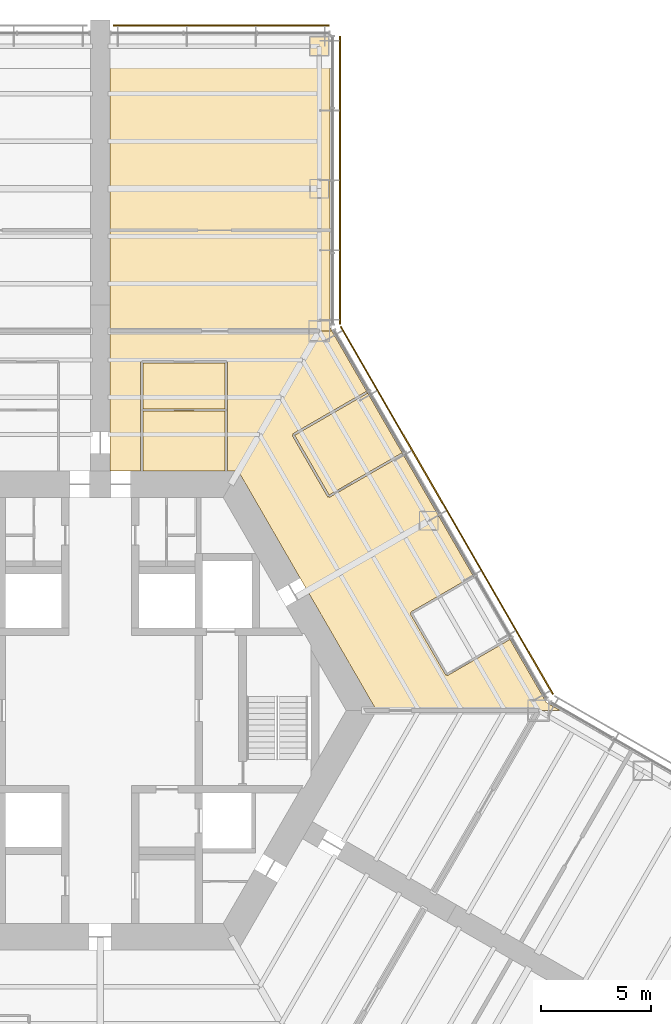
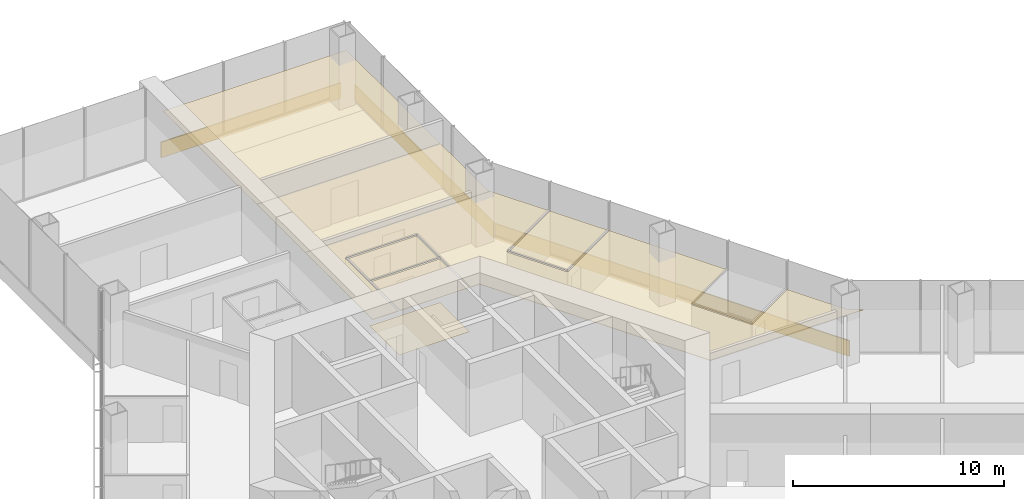
# One storey, part 17 of 17: 7 coverings, 3 shading devices.
"""IFC4 building model written with IfcOpenShell, lengths in metres."""

import ifcopenshell
import ifcopenshell.guid

model = None  # the IFC model being written
_history = None  # IfcOwnerHistory: only IFC2X3 demands one
_inside = {}  # id of a spatial element -> (the spatial element, [elements in it])
_under = {}  # id of a project, library or spatial element -> (it, [spatial elements below it])
_declared = {}  # id of a project -> (the project, [libraries it declares])
_typed = {}  # id of a type object -> (the type object, [elements of that type])
_made_of = {}  # id of a material, layer set ... -> (it, [elements and type objects made of it])


def new_model(schema):
    """Start an empty IFC model of exactly this schema.

    Asked for "IFC4X3", IfcOpenShell would pick the latest addendum, in which some entities
    have other attributes; the version numbers below select the first issue.
    IFC2X3 requires an IfcOwnerHistory on every rooted entity: one is made here for all.
    """
    global model, _history
    if schema == "IFC4X3":
        model = ifcopenshell.file(schema_version=(4, 3, 0, 0))
    else:
        model = ifcopenshell.file(schema=schema)
    _inside.clear()
    _under.clear()
    _declared.clear()
    _typed.clear()
    _made_of.clear()
    _history = None
    if model.schema == "IFC2X3":
        org = make("IfcOrganization", Name="unknown")
        user = make(
            "IfcPersonAndOrganization",
            ThePerson=make("IfcPerson", FamilyName="unknown"),
            TheOrganization=org,
        )
        app = make(
            "IfcApplication",
            ApplicationDeveloper=org,
            Version="unknown",
            ApplicationFullName="unknown",
            ApplicationIdentifier="unknown",
        )
        _history = make(
            "IfcOwnerHistory",
            OwningUser=user,
            OwningApplication=app,
            ChangeAction="ADDED",
            CreationDate=0,
        )
    return model


def make(cls, **values):
    """One entity of the class cls with the attributes given. An attribute that is None is left unset."""
    return model.create_entity(
        cls, **{name: value for name, value in values.items() if value is not None}
    )


def rooted(cls, **values):
    """An entity with a GlobalId (a new one), such as an element, a storey or a relation."""
    return make(cls, GlobalId=ifcopenshell.guid.new(), OwnerHistory=_history, **values)


def si_unit(unit_type, name, prefix=None):
    """IfcSIUnit, for example si_unit("LENGTHUNIT", "METRE", prefix="MILLI")."""
    return make("IfcSIUnit", UnitType=unit_type, Prefix=prefix, Name=name)


def assignment(units):
    """IfcUnitAssignment: the units of a project."""
    return None if units is None else make("IfcUnitAssignment", Units=units)


def point(xyz):
    """IfcCartesianPoint."""
    return None if xyz is None else make("IfcCartesianPoint", Coordinates=xyz)


def direction(xyz):
    """IfcDirection."""
    return None if xyz is None else make("IfcDirection", DirectionRatios=xyz)


def frame(location, z_axis=None, x_axis=None):
    """IfcAxis2Placement3D, a coordinate frame: its origin and axes. An axis left out is left unset."""
    return make(
        "IfcAxis2Placement3D",
        Location=point(location),
        Axis=direction(z_axis),
        RefDirection=direction(x_axis),
    )


def frame_2d(location, x_axis=None):
    """IfcAxis2Placement2D, a coordinate frame in the plane: its origin and x axis."""
    return make(
        "IfcAxis2Placement2D", Location=point(location), RefDirection=direction(x_axis)
    )


def origin():
    """The frame at (0, 0, 0) with its axes left unset."""
    return frame((0.0, 0.0, 0.0))


def origin_2d():
    """The frame at (0, 0) in the plane with its x axis left unset."""
    return frame_2d((0.0, 0.0))


def place(relative_to, where):
    """IfcLocalPlacement: puts the frame where relative to a parent placement (None: the world)."""
    return make(
        "IfcLocalPlacement", PlacementRelTo=relative_to, RelativePlacement=where
    )


def context(
    kind, dimensions, precision=None, world=None, true_north=None, identifier=None
):
    """IfcGeometricRepresentationContext, for example the 3D "Model" context."""
    return make(
        "IfcGeometricRepresentationContext",
        ContextIdentifier=identifier,
        ContextType=kind,
        CoordinateSpaceDimension=dimensions,
        Precision=precision,
        WorldCoordinateSystem=world,
        TrueNorth=true_north,
    )


def subcontext(parent, identifier, kind, view, scale=None):
    """IfcGeometricRepresentationSubContext, for example "Body" below "Model"."""
    return make(
        "IfcGeometricRepresentationSubContext",
        ContextIdentifier=identifier,
        ContextType=kind,
        ParentContext=parent,
        TargetScale=scale,
        TargetView=view,
    )


def project(units=None, contexts=None):
    """IfcProject with its units and contexts."""
    return rooted(
        "IfcProject",
        Name="project",
        RepresentationContexts=contexts,
        UnitsInContext=assignment(units),
    )


def spatial(cls, under=None, at=None, **own):
    """A site, building, storey or space (cls), placed at a placement, below another one or the project."""
    s = rooted(cls, ObjectPlacement=at, **own)
    if under is not None:
        _under.setdefault(under.id(), (under, []))[1].append(s)
    return s


def polyline(points):
    """IfcPolyline through the points."""
    return make("IfcPolyline", Points=[point(p) for p in points])


def profile(cls, at=None, kind="AREA", **sizes):
    """A parametric profile (cls). Its sizes go by their IFC names, for example OverallWidth=200.0."""
    return make(cls, ProfileType=kind, Position=at, **sizes)


def rectangle(**sizes):
    """IfcRectangleProfileDef."""
    return profile("IfcRectangleProfileDef", **sizes)


def outline(outer, holes=None, kind="AREA"):
    """IfcArbitraryClosedProfileDef: a profile drawn as a closed curve; with holes, ...WithVoids."""
    if holes is None:
        return make("IfcArbitraryClosedProfileDef", ProfileType=kind, OuterCurve=outer)
    return make(
        "IfcArbitraryProfileDefWithVoids",
        ProfileType=kind,
        OuterCurve=outer,
        InnerCurves=holes,
    )


def extrude(swept, where, along, depth):
    """IfcExtrudedAreaSolid: the profile swept, set in the frame where, extruded along a direction by depth."""
    return make(
        "IfcExtrudedAreaSolid",
        SweptArea=swept,
        Position=where,
        ExtrudedDirection=direction(along),
        Depth=depth,
    )


def shape(context_of_items, identifier, shape_type, items):
    """IfcShapeRepresentation: the items that make up one representation, for example the "Body"."""
    return make(
        "IfcShapeRepresentation",
        ContextOfItems=context_of_items,
        RepresentationIdentifier=identifier,
        RepresentationType=shape_type,
        Items=items,
    )


def material(Name=None, Category=None):
    """IfcMaterial."""
    return make("IfcMaterial", Name=Name, Category=Category)


def layer(
    of_material, thickness, ventilated=None, Name=None, Category=None, Priority=None
):
    """IfcMaterialLayer: one layer of a wall or slab, of a material (None: an air gap)."""
    return make(
        "IfcMaterialLayer",
        Material=of_material,
        LayerThickness=thickness,
        IsVentilated=ventilated,
        Name=Name,
        Category=Category,
        Priority=Priority,
    )


def layer_set(layers, Name=None):
    """IfcMaterialLayerSet."""
    return make("IfcMaterialLayerSet", MaterialLayers=layers, LayerSetName=Name)


def made_of(thing, what):
    """Note that an element or type object is made of a material, layer set ...; save() writes the relation."""
    if what is not None:
        _made_of.setdefault(what.id(), (what, []))[1].append(thing)
    return thing


def type_object(cls, material=None, **own):
    """A type object (cls), such as IfcWallType, which elements share."""
    return made_of(rooted(cls, **own), material)


def element(
    cls,
    number,
    at=None,
    inside=None,
    cuts=None,
    type_object=None,
    material=None,
    context=None,
    identifier="Body",
    shape_type=None,
    held_by="IfcProductDefinitionShape",
    body=None,
    shapes=None,
    **own,
):
    """One element of the class cls, such as IfcWall. Its Tag is "e" and its number.

    at: its placement. inside: the storey or other place that contains it. cuts: it is an
    opening in that element (IfcRelVoidsElement). A single representation is given by context,
    identifier, shape_type and body (its items); several are given by shapes. held_by: the class
    of the entity that holds the representations. save() writes the other relations.
    """
    e = rooted(cls, Tag="e%d" % number, ObjectPlacement=at, **own)
    if body is not None:
        shapes = [shape(context, identifier, shape_type, body)]
    if shapes is not None:
        e.Representation = make(held_by, Representations=shapes)
    if inside is not None:
        _inside.setdefault(inside.id(), (inside, []))[1].append(e)
    if cuts is not None:
        rooted(
            "IfcRelVoidsElement", RelatingBuildingElement=cuts, RelatedOpeningElement=e
        )
    if type_object is not None:
        _typed.setdefault(type_object.id(), (type_object, []))[1].append(e)
    return made_of(e, material)


def aggregate(whole, parts):
    """IfcRelAggregates: a whole, such as a stair, and the parts it consists of."""
    return rooted("IfcRelAggregates", RelatingObject=whole, RelatedObjects=parts)


def save(model, path):
    """Write the relations noted so far, then the file.

    IfcRelAggregates (storeys below a building ...), IfcRelContainedInSpatialStructure (elements
    in a storey), IfcRelDefinesByType, IfcRelAssociatesMaterial and IfcRelDeclares: one each for
    every whole, place, type object, material and project.
    """
    for whole, parts in _under.values():
        aggregate(whole, parts)
    for where, things in _inside.values():
        rooted(
            "IfcRelContainedInSpatialStructure",
            RelatedElements=things,
            RelatingStructure=where,
        )
    for kind, things in _typed.values():
        rooted("IfcRelDefinesByType", RelatedObjects=things, RelatingType=kind)
    for what, things in _made_of.values():
        rooted("IfcRelAssociatesMaterial", RelatedObjects=things, RelatingMaterial=what)
    for by, libraries in _declared.values():
        rooted("IfcRelDeclares", RelatingContext=by, RelatedDefinitions=libraries)
    model.write(path)


model = new_model("IFC4")

# Units and contexts
model_context = context("Model", 3, precision=1e-05, world=origin(), true_north=direction((0.0, 1.0)))
body_context = subcontext(model_context, "Body", "Model", "MODEL_VIEW")
ifc_project = project(units=[si_unit("LENGTHUNIT", "METRE"), si_unit("AREAUNIT", "SQUARE_METRE"), si_unit("VOLUMEUNIT", "CUBIC_METRE"), si_unit("PLANEANGLEUNIT", "RADIAN"), si_unit("MASSUNIT", "GRAM", prefix="KILO")], contexts=[model_context])

# Site, building, storey
site_placement = place(None, origin())
site = spatial("IfcSite", under=ifc_project, at=site_placement, CompositionType="ELEMENT")
building_placement = place(site_placement, origin())
building = spatial("IfcBuilding", under=site, at=building_placement, Name="Kasaneha Research Tower", CompositionType="ELEMENT")
storey_placement = place(building_placement, frame((0.0, 0.0, 47.800048828125)))
storey = spatial("IfcBuildingStorey", under=building, at=storey_placement, Name="L12", CompositionType="ELEMENT", Elevation=47.800048828125)

# Coverings
ifc_material_1 = material(Name="Washable coated ceiling board", Category="gypsum")
ifc_layer_1 = layer(ifc_material_1, 0.02490234375)
ifc_layer_set_1 = layer_set([ifc_layer_1], Name="Laboratory ceiling 25")
covering_type_1 = type_object("IfcCoveringType", Name="Laboratory ceiling 25", PredefinedType="CEILING", material=ifc_layer_set_1)
covering_1_placement = place(storey_placement, frame((0.0, 0.0, 2.550048828125)))
element("IfcCovering", 1, at=covering_1_placement, inside=storey, type_object=covering_type_1, Name="Ceiling L12-28", PredefinedType="CEILING", context=body_context, shape_type="SweptSolid", body=[
    extrude(outline(polyline([(1.949951171875, 10.925048828125), (1.949951171875, 13.675048828125), (5.70703125, 13.675048828125), (5.70703125, 10.925048828125), (1.949951171875, 10.925048828125)])), origin(), (0.0, 0.0, 1.0), 0.02490234375),
])
covering_2_placement = place(storey_placement, frame((0.0, 0.0, 2.550048828125)))
element("IfcCovering", 2, at=covering_2_placement, inside=storey, type_object=covering_type_1, Name="Ceiling L12-29", PredefinedType="CEILING", context=body_context, shape_type="SweptSolid", body=[
    extrude(outline(polyline([(5.70703125, 15.875), (5.70703125, 13.77490234375), (1.949951171875, 13.77490234375), (1.949951171875, 15.875), (5.70703125, 15.875)])), origin(), (0.0, 0.0, 1.0), 0.02490234375),
])
covering_3_placement = place(storey_placement, frame((0.0, 0.0, 2.550048828125)))
element("IfcCovering", 3, at=covering_3_placement, inside=storey, type_object=covering_type_1, Name="Ceiling L12-30", PredefinedType="CEILING", context=body_context, shape_type="SweptSolid", body=[
    extrude(outline(polyline([(13.809814453125, 11.7216796875), (13.79248046875, 11.711669921875), (13.767578125, 11.7548828125), (10.45068359375, 9.840087890625), (8.87744140625, 12.56494140625), (12.1943359375, 14.47998046875), (12.169189453125, 14.523193359375), (12.1865234375, 14.533203125), (13.809814453125, 11.7216796875)])), origin(), (0.0, 0.0, 1.0), 0.02490234375),
])
covering_4_placement = place(storey_placement, frame((0.0, 0.0, 2.550048828125)))
element("IfcCovering", 4, at=covering_4_placement, inside=storey, type_object=covering_type_1, Name="Ceiling L12-32", PredefinedType="CEILING", context=body_context, shape_type="SweptSolid", body=[
    extrude(outline(polyline([(6.3076171875, 10.925048828125), (5.80712890625, 10.925048828125), (5.80712890625, 15.925048828125), (5.757568359375, 15.925048828125), (5.757568359375, 15.92529296875), (5.757080078125, 15.92529296875), (5.757080078125, 15.97509765625), (1.89990234375, 15.97509765625), (1.89990234375, 15.92529296875), (1.899658203125, 15.92529296875), (1.899658203125, 15.925048828125), (1.85009765625, 15.925048828125), (1.85009765625, 10.925048828125), (0.449951171875, 10.925048828125), (0.449951171875, 11.72509765625), (0.449951171875, 12.72509765625), (0.449951171875, 17.320556640625), (10.577392578125, 17.320556640625), (12.186279296875, 14.53369140625), (12.1689453125, 14.523681640625), (12.144287109375, 14.56640625), (8.7841796875, 12.62646484375), (8.80908203125, 12.58349609375), (8.80859375, 12.583251953125), (8.808837890625, 12.5830078125), (8.765869140625, 12.55810546875), (10.388916015625, 9.74658203125), (10.432373046875, 9.771728515625), (10.457275390625, 9.728515625), (13.8173828125, 11.66845703125), (13.792724609375, 11.711181640625), (13.81005859375, 11.72119140625), (17.055908203125, 6.09912109375), (17.03857421875, 6.089111328125), (17.013916015625, 6.132080078125), (14.17333984375, 4.4921875), (14.1982421875, 4.448974609375), (14.19775390625, 4.448974609375), (14.197998046875, 4.44873046875), (14.155029296875, 4.423828125), (15.7783203125, 1.6123046875), (15.821044921875, 1.636962890625), (15.821044921875, 1.636962890625), (15.821533203125, 1.63720703125), (15.846435546875, 1.593994140625), (18.68701171875, 3.23388671875), (18.662353515625, 3.27685546875), (18.6796875, 3.286865234375), (20.365966796875, 0.365966796875), (21.0, 0.0), (12.614990234375, 0.0), (6.3076171875, 10.925048828125)])), origin(), (0.0, 0.0, 1.0), 0.02490234375),
])
covering_5_placement = place(storey_placement, frame((0.0, 0.0, 2.550048828125)))
element("IfcCovering", 5, at=covering_5_placement, inside=storey, type_object=covering_type_1, Name="Ceiling L12-33", PredefinedType="CEILING", context=body_context, shape_type="SweptSolid", body=[
    extrude(outline(polyline([(10.5, 21.92041015625), (10.5, 17.45458984375), (10.577392578125, 17.320556640625), (0.449951171875, 17.320556640625), (0.449951171875, 21.92041015625), (10.5, 21.92041015625)])), origin(), (0.0, 0.0, 1.0), 0.02490234375),
])
covering_6_placement = place(storey_placement, frame((0.0, 0.0, 2.550048828125)))
element("IfcCovering", 6, at=covering_6_placement, inside=storey, type_object=covering_type_1, Name="Ceiling L12-34", PredefinedType="CEILING", context=body_context, shape_type="SweptSolid", body=[
    extrude(outline(polyline([(10.5, 30.820556640625), (10.5, 21.92041015625), (0.449951171875, 21.92041015625), (0.449951171875, 30.820556640625), (10.5, 30.820556640625)])), origin(), (0.0, 0.0, 1.0), 0.02490234375),
])

# Shading devices
ifc_material_2 = material(Name="Terracotta", Category="masonry")
ifc_layer_2 = layer(ifc_material_2, 0.06005859375)
ifc_layer_set_2 = layer_set([ifc_layer_2], Name="Terracotta baguette screen")
shading_device_type = type_object("IfcShadingDeviceType", Name="Terracotta baguette screen", PredefinedType="USERDEFINED", material=ifc_layer_set_2)
shading_device_1_placement = place(storey_placement, frame((15.82275390625, 9.13525390625, -0.449951171875), z_axis=(0.0, 0.0, 1.0), x_axis=(-0.49999996188, 0.866025425793, 0.0)))
element("IfcShadingDevice", 7, at=shading_device_1_placement, inside=storey, type_object=shading_device_type, Name="Baguette screen L12 07", ObjectType="TERRACOTTA BAGUETTE SCREEN", PredefinedType="USERDEFINED", context=body_context, shape_type="SweptSolid", body=[
    extrude(rectangle(XDim=19.37841796875, YDim=0.06005859375, at=origin_2d()), origin(), (0.0, 0.0, 1.0), 0.89990234375),
])
shading_device_2_placement = place(storey_placement, frame((10.949951171875, 24.200927734375, -0.449951171875), z_axis=(0.0, 0.0, 1.0), x_axis=(0.0, 1.0, 0.0)))
element("IfcShadingDevice", 8, at=shading_device_2_placement, inside=storey, type_object=shading_device_type, Name="Baguette screen L12 08", ObjectType="TERRACOTTA BAGUETTE SCREEN", PredefinedType="USERDEFINED", context=body_context, shape_type="SweptSolid", body=[
    extrude(rectangle(XDim=13.13916015625, YDim=0.06005859375, at=origin_2d()), origin(), (0.0, 0.0, 1.0), 0.89990234375),
])
shading_device_3_placement = place(storey_placement, frame((5.52490234375, 31.2705078125, -0.449951171875), z_axis=(0.0, 0.0, 1.0), x_axis=(-1.0, 0.0, 0.0)))
element("IfcShadingDevice", 9, at=shading_device_3_placement, inside=storey, type_object=shading_device_type, Name="Baguette screen L12 09", ObjectType="TERRACOTTA BAGUETTE SCREEN", PredefinedType="USERDEFINED", context=body_context, shape_type="SweptSolid", body=[
    extrude(rectangle(XDim=9.85009765625, YDim=0.06005859375, at=origin_2d()), origin(), (0.0, 0.0, 1.0), 0.89990234375),
])

# Covering
ifc_material_3 = material(Name="Vinyl sheet flooring", Category="plastic")
ifc_layer_3 = layer(ifc_material_3, 0.0048828125)
ifc_layer_set_3 = layer_set([ifc_layer_3], Name="Wet room sheet flooring 5")
covering_type_2 = type_object("IfcCoveringType", Name="Wet room sheet flooring 5", PredefinedType="FLOORING", material=ifc_layer_set_3)
covering_7_placement = place(storey_placement, origin())
element("IfcCovering", 10, at=covering_7_placement, inside=storey, type_object=covering_type_2, Name="Floor finish L12-28", PredefinedType="FLOORING", context=body_context, shape_type="SweptSolid", body=[
    extrude(outline(polyline([(1.89990234375, 13.72509765625), (5.757080078125, 13.72509765625), (5.757080078125, 10.925048828125), (1.89990234375, 10.925048828125), (1.89990234375, 13.72509765625)])), origin(), (0.0, 0.0, 1.0), 0.0048828125),
])

save(model, "model.ifc")
